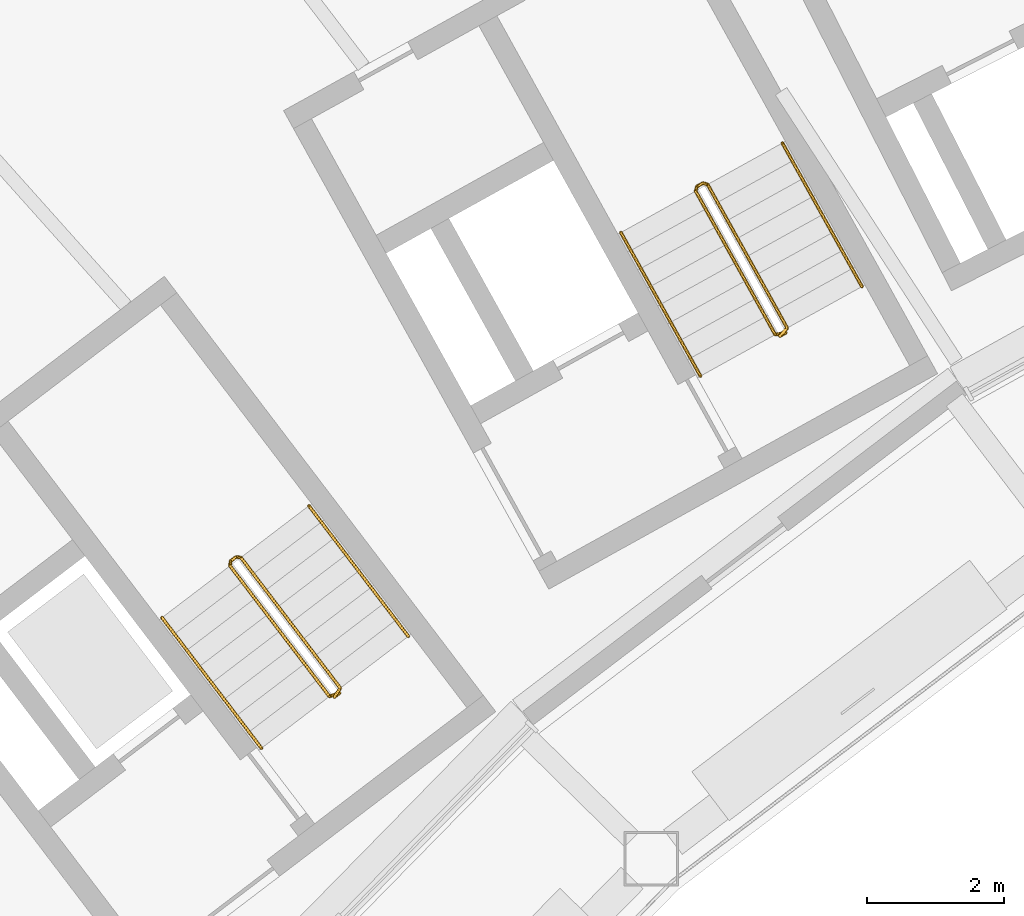
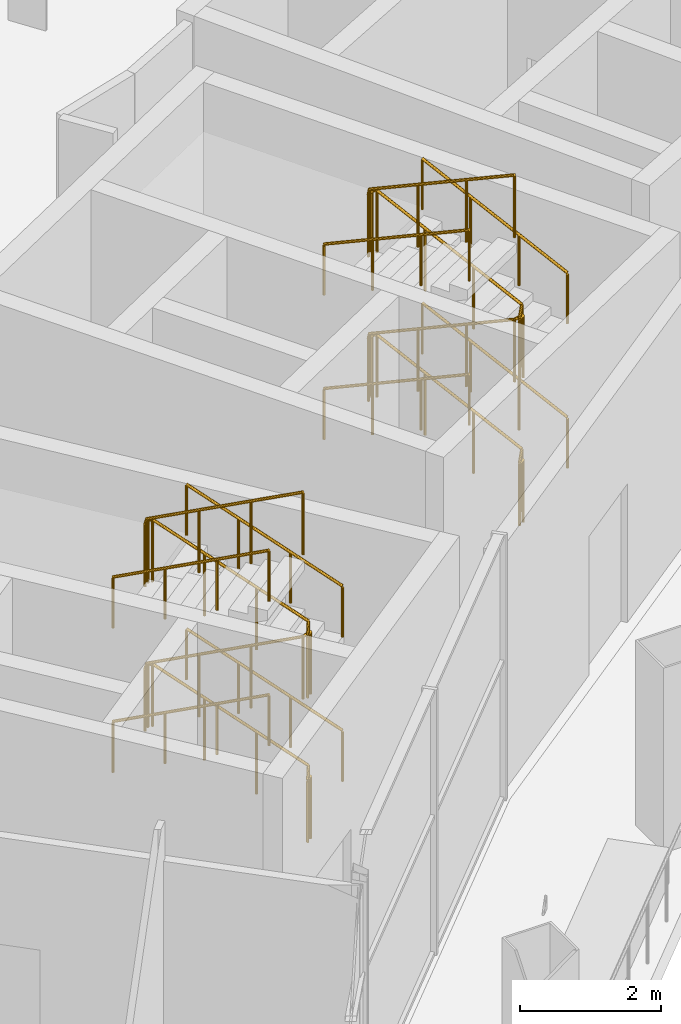
# One storey, part 27 of 29: 10 railings.
"""IFC4 building model written with IfcOpenShell, lengths in metres."""

from ifc_helpers import new_model, si_unit, direction, frame, origin, origin_2d, place, context, subcontext, project, spatial, circle, extrude, material, type_object, element, save


model = new_model("IFC4")

# Units and contexts
model_context = context("Model", 3, precision=1e-05, world=origin(), true_north=direction((0.0, 1.0)))
body_context = subcontext(model_context, "Body", "Model", "MODEL_VIEW")
ifc_project = project(units=[si_unit("LENGTHUNIT", "METRE"), si_unit("AREAUNIT", "SQUARE_METRE"), si_unit("VOLUMEUNIT", "CUBIC_METRE"), si_unit("PLANEANGLEUNIT", "RADIAN"), si_unit("MASSUNIT", "GRAM", prefix="KILO")], contexts=[model_context])

# Site, building, storey
site_placement = place(None, origin())
site = spatial("IfcSite", under=ifc_project, at=site_placement, CompositionType="ELEMENT")
building_placement = place(site_placement, origin())
building = spatial("IfcBuilding", under=site, at=building_placement, Name="Tuul Gate Civic Tower", CompositionType="ELEMENT")
storey_placement = place(building_placement, frame((0.0, 0.0, 238.89990234375)))
storey = spatial("IfcBuildingStorey", under=building, at=storey_placement, Name="Sky garden level 2", CompositionType="ELEMENT", Elevation=238.89990234375)

# Railings
ifc_material_1 = material(Name="Painted steel", Category="steel")
railing_type_1 = type_object("IfcRailingType", Name="Stair guard", PredefinedType="GUARDRAIL", material=ifc_material_1)
railing_1_placement = place(storey_placement, frame((-33.382080078125, -13.515380859375, 0.0)))
element("IfcRailing", 1, at=railing_1_placement, inside=storey, type_object=railing_type_1, Name="Sky garden level 2 ST-1 stair guard 1", PredefinedType="GUARDRAIL", context=body_context, shape_type="SweptSolid", body=[
    extrude(circle(Radius=0.02392578125, at=origin_2d()), frame((0.0, 0.0, 1.076171875), z_axis=(-0.795879841968, -0.605454603706, 0.0), x_axis=(0.605454603706, -0.795879841968, 0.0)), (0.0, 0.0, 1.0), 0.10009765625),
    extrude(circle(Radius=0.02392578125, at=origin_2d()), frame((-0.07958984375, -0.060546875, 1.076171875), z_axis=(0.423386299102, 0.620579917862, 0.660018641614), x_axis=(-0.826063974707, 0.563576356576, 0.0)), (0.0, 0.0, 1.0), 0.21044921875),
    extrude(circle(Radius=0.02392578125, at=origin_2d()), frame((0.009521484375, 0.070068359375, 1.21484375), z_axis=(-0.549737849212, 0.721998273498, 0.420127111967), x_axis=(-0.795620835531, -0.605794920801, 0.0)), (0.0, 0.0, 1.0), 2.64453125),
    extrude(circle(Radius=0.02392578125, at=origin_2d()), frame((-1.4443359375, 1.9794921875, 2.326171875), z_axis=(-0.990893089246, 0.134650977284, 0.0), x_axis=(-0.134650977284, -0.990893089246, 0.0)), (0.0, 0.0, 1.0), 0.07080078125),
    extrude(circle(Radius=0.02392578125, at=origin_2d()), frame((-1.514404296875, 1.989013671875, 2.326171875), z_axis=(-0.795879841968, -0.605454603706, 0.0), x_axis=(0.605454603706, -0.795879841968, 0.0)), (0.0, 0.0, 1.0), 0.10009765625),
    extrude(circle(Radius=0.02392578125, at=origin_2d()), frame((-1.593994140625, 1.928466796875, 2.326171875), z_axis=(-0.061082998929, -0.449508222888, 0.891185292068), x_axis=(0.990893089246, -0.134650977284, 0.0)), (0.0, 0.0, 1.0), 0.15576171875),
    extrude(circle(Radius=0.02392578125, at=origin_2d()), frame((-1.603515625, 1.8583984375, 2.46484375), z_axis=(0.549737849212, -0.721998273498, 0.420127111967), x_axis=(0.795620835531, 0.605794920801, 0.0)), (0.0, 0.0, 1.0), 2.64453125),
    extrude(circle(Radius=0.02392578125, at=origin_2d()), frame((-0.149658203125, -0.051025390625, 3.576171875), z_axis=(0.946499470085, 0.32270536582, 0.0), x_axis=(-0.32270536582, 0.946499470085, 0.0)), (0.0, 0.0, 1.0), 0.158203125),
    extrude(circle(Radius=0.02392578125, at=origin_2d()), frame((0.0, 0.0, 3.576171875), z_axis=(-0.795879841968, -0.605454603706, 0.0), x_axis=(0.605454603706, -0.795879841968, 0.0)), (0.0, 0.0, 1.0), 0.10009765625),
    extrude(circle(Radius=0.02392578125, at=origin_2d()), frame((-0.07958984375, -0.060546875, 3.576171875), z_axis=(0.423386299102, 0.620579917862, 0.660018641614), x_axis=(-0.826063974707, 0.563576356576, 0.0)), (0.0, 0.0, 1.0), 0.21044921875),
    extrude(circle(Radius=0.02392578125, at=origin_2d()), frame((0.009521484375, 0.070068359375, 3.71484375), z_axis=(-0.549737849212, 0.721998273498, 0.420127111967), x_axis=(-0.795620835531, -0.605794920801, 0.0)), (0.0, 0.0, 1.0), 2.64453125),
    extrude(circle(Radius=0.02392578125, at=origin_2d()), frame((-1.4443359375, 1.9794921875, 4.826171875), z_axis=(-0.990893089246, 0.134650977284, 0.0), x_axis=(-0.134650977284, -0.990893089246, 0.0)), (0.0, 0.0, 1.0), 0.07080078125),
    extrude(circle(Radius=0.02392578125, at=origin_2d()), frame((-1.514404296875, 1.989013671875, 4.826171875), z_axis=(-0.795879841968, -0.605454603706, 0.0), x_axis=(0.605454603706, -0.795879841968, 0.0)), (0.0, 0.0, 1.0), 0.10009765625),
    extrude(circle(Radius=0.02392578125, at=origin_2d()), frame((-1.593994140625, 1.928466796875, 4.826171875), z_axis=(-0.061082998929, -0.449508222888, 0.891185292068), x_axis=(0.990893089246, -0.134650977284, 0.0)), (0.0, 0.0, 1.0), 0.15576171875),
    extrude(circle(Radius=0.02392578125, at=origin_2d()), frame((-1.603515625, 1.8583984375, 4.96484375), z_axis=(0.549737849212, -0.721998273498, 0.420127111967), x_axis=(0.795620835531, 0.605794920801, 0.0)), (0.0, 0.0, 1.0), 2.64453125),
    extrude(circle(Radius=0.02099609375, at=origin_2d()), origin(), (0.0, 0.0, 1.0), 1.052001953125),
    extrude(circle(Radius=0.02099609375, at=origin_2d()), frame((-0.07958984375, -0.060546875, 0.0)), (0.0, 0.0, 1.0), 1.052001953125),
    extrude(circle(Radius=0.02099609375, at=origin_2d()), frame((0.009521484375, 0.070068359375, 0.138916015625)), (0.0, 0.0, 1.0), 1.052001953125),
    extrude(circle(Radius=0.02099609375, at=origin_2d()), frame((-0.47509765625, 0.70654296875, 0.50927734375)), (0.0, 0.0, 1.0), 1.052001953125),
    extrude(circle(Radius=0.02099609375, at=origin_2d()), frame((-0.959716796875, 1.343017578125, 0.879638671875)), (0.0, 0.0, 1.0), 1.052001953125),
    extrude(circle(Radius=0.02099609375, at=origin_2d()), frame((-1.4443359375, 1.9794921875, 1.25)), (0.0, 0.0, 1.0), 1.052001953125),
    extrude(circle(Radius=0.02099609375, at=origin_2d()), frame((-1.514404296875, 1.989013671875, 1.25)), (0.0, 0.0, 1.0), 1.052001953125),
    extrude(circle(Radius=0.02099609375, at=origin_2d()), frame((-1.593994140625, 1.928466796875, 1.25)), (0.0, 0.0, 1.0), 1.052001953125),
    extrude(circle(Radius=0.02099609375, at=origin_2d()), frame((-1.603515625, 1.8583984375, 1.388916015625)), (0.0, 0.0, 1.0), 1.052001953125),
    extrude(circle(Radius=0.02099609375, at=origin_2d()), frame((-1.118896484375, 1.221923828125, 1.75927734375)), (0.0, 0.0, 1.0), 1.052001953125),
    extrude(circle(Radius=0.02099609375, at=origin_2d()), frame((-0.63427734375, 0.58544921875, 2.129638671875)), (0.0, 0.0, 1.0), 1.052001953125),
    extrude(circle(Radius=0.02099609375, at=origin_2d()), frame((-0.149658203125, -0.051025390625, 2.5)), (0.0, 0.0, 1.0), 1.052001953125),
    extrude(circle(Radius=0.02099609375, at=origin_2d()), frame((0.0, 0.0, 2.5)), (0.0, 0.0, 1.0), 1.052001953125),
    extrude(circle(Radius=0.02099609375, at=origin_2d()), frame((-0.07958984375, -0.060546875, 2.5)), (0.0, 0.0, 1.0), 1.052001953125),
    extrude(circle(Radius=0.02099609375, at=origin_2d()), frame((0.009521484375, 0.070068359375, 2.638916015625)), (0.0, 0.0, 1.0), 1.052001953125),
    extrude(circle(Radius=0.02099609375, at=origin_2d()), frame((-0.47509765625, 0.70654296875, 3.00927734375)), (0.0, 0.0, 1.0), 1.052001953125),
    extrude(circle(Radius=0.02099609375, at=origin_2d()), frame((-0.959716796875, 1.343017578125, 3.379638671875)), (0.0, 0.0, 1.0), 1.052001953125),
    extrude(circle(Radius=0.02099609375, at=origin_2d()), frame((-1.4443359375, 1.9794921875, 3.75)), (0.0, 0.0, 1.0), 1.052001953125),
    extrude(circle(Radius=0.02099609375, at=origin_2d()), frame((-1.514404296875, 1.989013671875, 3.75)), (0.0, 0.0, 1.0), 1.052001953125),
    extrude(circle(Radius=0.02099609375, at=origin_2d()), frame((-1.593994140625, 1.928466796875, 3.75)), (0.0, 0.0, 1.0), 1.052001953125),
    extrude(circle(Radius=0.02099609375, at=origin_2d()), frame((-1.603515625, 1.8583984375, 3.888916015625)), (0.0, 0.0, 1.0), 1.052001953125),
    extrude(circle(Radius=0.02099609375, at=origin_2d()), frame((-1.118896484375, 1.221923828125, 4.25927734375)), (0.0, 0.0, 1.0), 1.052001953125),
    extrude(circle(Radius=0.02099609375, at=origin_2d()), frame((-0.63427734375, 0.58544921875, 4.629638671875)), (0.0, 0.0, 1.0), 1.052001953125),
    extrude(circle(Radius=0.02099609375, at=origin_2d()), frame((-0.149658203125, -0.051025390625, 5.0)), (0.0, 0.0, 1.0), 1.052001953125),
])
railing_2_placement = place(storey_placement, frame((-26.857666015625, -8.247314453125, 0.0)))
element("IfcRailing", 2, at=railing_2_placement, inside=storey, type_object=railing_type_1, Name="Sky garden level 2 ST-2 stair guard 1", PredefinedType="GUARDRAIL", context=body_context, shape_type="SweptSolid", body=[
    extrude(circle(Radius=0.02392578125, at=origin_2d()), frame((0.0, 0.0, 1.076171875), z_axis=(-0.874616555828, -0.48481530532, 0.0), x_axis=(0.48481530532, -0.874616555828, 0.0)), (0.0, 0.0, 1.0), 0.10009765625),
    extrude(circle(Radius=0.02392578125, at=origin_2d()), frame((-0.087646484375, -0.048583984375, 1.076171875), z_axis=(0.508089879802, 0.553330759511, 0.66005283472), x_axis=(-0.736576986774, 0.676353711126, 0.0)), (0.0, 0.0, 1.0), 0.21044921875),
    extrude(circle(Radius=0.02392578125, at=origin_2d()), frame((0.019287109375, 0.06787109375, 1.21484375), z_axis=(-0.439881164574, 0.793724712069, 0.42012574606), x_axis=(-0.874660649081, -0.484735751672, 0.0)), (0.0, 0.0, 1.0), 2.64453125),
    extrude(circle(Radius=0.02392578125, at=origin_2d()), frame((-1.14404296875, 2.1669921875, 2.326171875), z_axis=(-0.961000426733, 0.276546885391, 0.0), x_axis=(-0.276546885391, -0.961000426733, 0.0)), (0.0, 0.0, 1.0), 0.070556640625),
    extrude(circle(Radius=0.02392578125, at=origin_2d()), frame((-1.2119140625, 2.1865234375, 2.326171875), z_axis=(-0.87564882518, -0.482948377119, 0.0), x_axis=(0.482948377119, -0.87564882518, 0.0)), (0.0, 0.0, 1.0), 0.10009765625),
    extrude(circle(Radius=0.02392578125, at=origin_2d()), frame((-1.299560546875, 2.13818359375, 2.326171875), z_axis=(-0.123703100499, -0.436875506824, 0.890975495996), x_axis=(0.962171938298, -0.272442950271, 0.0)), (0.0, 0.0, 1.0), 0.156005859375),
    extrude(circle(Radius=0.02392578125, at=origin_2d()), frame((-1.31884765625, 2.070068359375, 2.46484375), z_axis=(0.439881164574, -0.793724712069, 0.42012574606), x_axis=(0.874660649081, 0.484735751672, 0.0)), (0.0, 0.0, 1.0), 2.64453125),
    extrude(circle(Radius=0.02392578125, at=origin_2d()), frame((-0.155517578125, -0.029052734375, 3.576171875), z_axis=(0.98299425886, 0.183636290117, 0.0), x_axis=(-0.183636290117, 0.98299425886, 0.0)), (0.0, 0.0, 1.0), 0.158203125),
    extrude(circle(Radius=0.02392578125, at=origin_2d()), frame((0.0, 0.0, 3.576171875), z_axis=(-0.874616555828, -0.48481530532, 0.0), x_axis=(0.48481530532, -0.874616555828, 0.0)), (0.0, 0.0, 1.0), 0.10009765625),
    extrude(circle(Radius=0.02392578125, at=origin_2d()), frame((-0.087646484375, -0.048583984375, 3.576171875), z_axis=(0.508089879802, 0.553330759511, 0.66005283472), x_axis=(-0.736576986774, 0.676353711126, 0.0)), (0.0, 0.0, 1.0), 0.21044921875),
    extrude(circle(Radius=0.02392578125, at=origin_2d()), frame((0.019287109375, 0.06787109375, 3.71484375), z_axis=(-0.439881164574, 0.793724712069, 0.42012574606), x_axis=(-0.874660649081, -0.484735751672, 0.0)), (0.0, 0.0, 1.0), 2.64453125),
    extrude(circle(Radius=0.02392578125, at=origin_2d()), frame((-1.14404296875, 2.1669921875, 4.826171875), z_axis=(-0.961000426733, 0.276546885391, 0.0), x_axis=(-0.276546885391, -0.961000426733, 0.0)), (0.0, 0.0, 1.0), 0.070556640625),
    extrude(circle(Radius=0.02392578125, at=origin_2d()), frame((-1.2119140625, 2.1865234375, 4.826171875), z_axis=(-0.87564882518, -0.482948377119, 0.0), x_axis=(0.482948377119, -0.87564882518, 0.0)), (0.0, 0.0, 1.0), 0.10009765625),
    extrude(circle(Radius=0.02392578125, at=origin_2d()), frame((-1.299560546875, 2.13818359375, 4.826171875), z_axis=(-0.123703100499, -0.436875506824, 0.890975495996), x_axis=(0.962171938298, -0.272442950271, 0.0)), (0.0, 0.0, 1.0), 0.156005859375),
    extrude(circle(Radius=0.02392578125, at=origin_2d()), frame((-1.31884765625, 2.070068359375, 4.96484375), z_axis=(0.439881164574, -0.793724712069, 0.42012574606), x_axis=(0.874660649081, 0.484735751672, 0.0)), (0.0, 0.0, 1.0), 2.64453125),
    extrude(circle(Radius=0.02099609375, at=origin_2d()), origin(), (0.0, 0.0, 1.0), 1.052001953125),
    extrude(circle(Radius=0.02099609375, at=origin_2d()), frame((-0.087646484375, -0.048583984375, 0.0)), (0.0, 0.0, 1.0), 1.052001953125),
    extrude(circle(Radius=0.02099609375, at=origin_2d()), frame((0.019287109375, 0.06787109375, 0.138916015625)), (0.0, 0.0, 1.0), 1.052001953125),
    extrude(circle(Radius=0.02099609375, at=origin_2d()), frame((-0.368408203125, 0.767578125, 0.50927734375)), (0.0, 0.0, 1.0), 1.052001953125),
    extrude(circle(Radius=0.02099609375, at=origin_2d()), frame((-0.75634765625, 1.46728515625, 0.879638671875)), (0.0, 0.0, 1.0), 1.052001953125),
    extrude(circle(Radius=0.02099609375, at=origin_2d()), frame((-1.14404296875, 2.1669921875, 1.25)), (0.0, 0.0, 1.0), 1.052001953125),
    extrude(circle(Radius=0.02099609375, at=origin_2d()), frame((-1.2119140625, 2.1865234375, 1.25)), (0.0, 0.0, 1.0), 1.052001953125),
    extrude(circle(Radius=0.02099609375, at=origin_2d()), frame((-1.299560546875, 2.13818359375, 1.25)), (0.0, 0.0, 1.0), 1.052001953125),
    extrude(circle(Radius=0.02099609375, at=origin_2d()), frame((-1.31884765625, 2.070068359375, 1.388916015625)), (0.0, 0.0, 1.0), 1.052001953125),
    extrude(circle(Radius=0.02099609375, at=origin_2d()), frame((-0.93115234375, 1.370361328125, 1.75927734375)), (0.0, 0.0, 1.0), 1.052001953125),
    extrude(circle(Radius=0.02099609375, at=origin_2d()), frame((-0.543212890625, 0.670654296875, 2.129638671875)), (0.0, 0.0, 1.0), 1.052001953125),
    extrude(circle(Radius=0.02099609375, at=origin_2d()), frame((-0.155517578125, -0.029052734375, 2.5)), (0.0, 0.0, 1.0), 1.052001953125),
    extrude(circle(Radius=0.02099609375, at=origin_2d()), frame((0.0, 0.0, 2.5)), (0.0, 0.0, 1.0), 1.052001953125),
    extrude(circle(Radius=0.02099609375, at=origin_2d()), frame((-0.087646484375, -0.048583984375, 2.5)), (0.0, 0.0, 1.0), 1.052001953125),
    extrude(circle(Radius=0.02099609375, at=origin_2d()), frame((0.019287109375, 0.06787109375, 2.638916015625)), (0.0, 0.0, 1.0), 1.052001953125),
    extrude(circle(Radius=0.02099609375, at=origin_2d()), frame((-0.368408203125, 0.767578125, 3.00927734375)), (0.0, 0.0, 1.0), 1.052001953125),
    extrude(circle(Radius=0.02099609375, at=origin_2d()), frame((-0.75634765625, 1.46728515625, 3.379638671875)), (0.0, 0.0, 1.0), 1.052001953125),
    extrude(circle(Radius=0.02099609375, at=origin_2d()), frame((-1.14404296875, 2.1669921875, 3.75)), (0.0, 0.0, 1.0), 1.052001953125),
    extrude(circle(Radius=0.02099609375, at=origin_2d()), frame((-1.2119140625, 2.1865234375, 3.75)), (0.0, 0.0, 1.0), 1.052001953125),
    extrude(circle(Radius=0.02099609375, at=origin_2d()), frame((-1.299560546875, 2.13818359375, 3.75)), (0.0, 0.0, 1.0), 1.052001953125),
    extrude(circle(Radius=0.02099609375, at=origin_2d()), frame((-1.31884765625, 2.070068359375, 3.888916015625)), (0.0, 0.0, 1.0), 1.052001953125),
    extrude(circle(Radius=0.02099609375, at=origin_2d()), frame((-0.93115234375, 1.370361328125, 4.25927734375)), (0.0, 0.0, 1.0), 1.052001953125),
    extrude(circle(Radius=0.02099609375, at=origin_2d()), frame((-0.543212890625, 0.670654296875, 4.629638671875)), (0.0, 0.0, 1.0), 1.052001953125),
    extrude(circle(Radius=0.02099609375, at=origin_2d()), frame((-0.155517578125, -0.029052734375, 5.0)), (0.0, 0.0, 1.0), 1.052001953125),
])
ifc_material_2 = material(Name="Painted steel", Category="steel")
railing_type_2 = type_object("IfcRailingType", Name="Stair handrail", PredefinedType="HANDRAIL", material=ifc_material_2)
railing_3_placement = place(storey_placement, frame((-32.3779296875, -12.688232421875, 0.138916015625)))
element("IfcRailing", 3, at=railing_3_placement, inside=storey, type_object=railing_type_2, Name="Sky garden level 2 ST-1 stair handrail 1", PredefinedType="HANDRAIL", context=body_context, shape_type="SweptSolid", body=[
    extrude(circle(Radius=0.02392578125, at=origin_2d()), frame((0.0, 0.0, 0.8759765625), z_axis=(-0.549701209671, 0.722042462141, 0.420099110867), x_axis=(-0.79565816419, -0.605745892068, 0.0)), (0.0, 0.0, 1.0), 2.644775390625),
    extrude(circle(Radius=0.02099609375, at=origin_2d()), origin(), (0.0, 0.0, 1.0), 0.851806640625),
    extrude(circle(Radius=0.02099609375, at=origin_2d()), frame((-0.484619140625, 0.636474609375, 0.370361328125)), (0.0, 0.0, 1.0), 0.851806640625),
    extrude(circle(Radius=0.02099609375, at=origin_2d()), frame((-0.96923828125, 1.273193359375, 0.74072265625)), (0.0, 0.0, 1.0), 0.851806640625),
    extrude(circle(Radius=0.02099609375, at=origin_2d()), frame((-1.453857421875, 1.90966796875, 1.111083984375)), (0.0, 0.0, 1.0), 0.851806640625),
])
railing_4_placement = place(storey_placement, frame((-35.97998046875, -12.414306640625, 1.388916015625)))
element("IfcRailing", 4, at=railing_4_placement, inside=storey, type_object=railing_type_2, Name="Sky garden level 2 ST-1 stair handrail 2", PredefinedType="HANDRAIL", context=body_context, shape_type="SweptSolid", body=[
    extrude(circle(Radius=0.02392578125, at=origin_2d()), frame((0.0, 0.0, 0.8759765625), z_axis=(0.549737849212, -0.721998273498, 0.420127111967), x_axis=(0.795620835531, 0.605794920801, 0.0)), (0.0, 0.0, 1.0), 2.64453125),
    extrude(circle(Radius=0.02099609375, at=origin_2d()), origin(), (0.0, 0.0, 1.0), 0.851806640625),
    extrude(circle(Radius=0.02099609375, at=origin_2d()), frame((0.484619140625, -0.636474609375, 0.370361328125)), (0.0, 0.0, 1.0), 0.851806640625),
    extrude(circle(Radius=0.02099609375, at=origin_2d()), frame((0.96923828125, -1.27294921875, 0.74072265625)), (0.0, 0.0, 1.0), 0.851806640625),
    extrude(circle(Radius=0.02099609375, at=origin_2d()), frame((1.453857421875, -1.909423828125, 1.111083984375)), (0.0, 0.0, 1.0), 0.851806640625),
])
railing_5_placement = place(storey_placement, frame((-32.3779296875, -12.688232421875, 2.638916015625)))
element("IfcRailing", 5, at=railing_5_placement, inside=storey, type_object=railing_type_2, Name="Sky garden level 2 ST-1 stair handrail 3", PredefinedType="HANDRAIL", context=body_context, shape_type="SweptSolid", body=[
    extrude(circle(Radius=0.02392578125, at=origin_2d()), frame((0.0, 0.0, 0.8759765625), z_axis=(-0.549701209671, 0.722042462141, 0.420099110867), x_axis=(-0.79565816419, -0.605745892068, 0.0)), (0.0, 0.0, 1.0), 2.644775390625),
    extrude(circle(Radius=0.02099609375, at=origin_2d()), origin(), (0.0, 0.0, 1.0), 0.851806640625),
    extrude(circle(Radius=0.02099609375, at=origin_2d()), frame((-0.484619140625, 0.636474609375, 0.370361328125)), (0.0, 0.0, 1.0), 0.851806640625),
    extrude(circle(Radius=0.02099609375, at=origin_2d()), frame((-0.96923828125, 1.273193359375, 0.74072265625)), (0.0, 0.0, 1.0), 0.851806640625),
    extrude(circle(Radius=0.02099609375, at=origin_2d()), frame((-1.453857421875, 1.90966796875, 1.111083984375)), (0.0, 0.0, 1.0), 0.851806640625),
])
railing_6_placement = place(storey_placement, frame((-35.97998046875, -12.414306640625, 3.888916015625)))
element("IfcRailing", 6, at=railing_6_placement, inside=storey, type_object=railing_type_2, Name="Sky garden level 2 ST-1 stair handrail 4", PredefinedType="HANDRAIL", context=body_context, shape_type="SweptSolid", body=[
    extrude(circle(Radius=0.02392578125, at=origin_2d()), frame((0.0, 0.0, 0.8759765625), z_axis=(0.549737849212, -0.721998273498, 0.420127111967), x_axis=(0.795620835531, 0.605794920801, 0.0)), (0.0, 0.0, 1.0), 2.64453125),
    extrude(circle(Radius=0.02099609375, at=origin_2d()), origin(), (0.0, 0.0, 1.0), 0.851806640625),
    extrude(circle(Radius=0.02099609375, at=origin_2d()), frame((0.484619140625, -0.636474609375, 0.370361328125)), (0.0, 0.0, 1.0), 0.851806640625),
    extrude(circle(Radius=0.02099609375, at=origin_2d()), frame((0.96923828125, -1.27294921875, 0.74072265625)), (0.0, 0.0, 1.0), 0.851806640625),
    extrude(circle(Radius=0.02099609375, at=origin_2d()), frame((1.453857421875, -1.909423828125, 1.111083984375)), (0.0, 0.0, 1.0), 0.851806640625),
])
railing_7_placement = place(storey_placement, frame((-25.744873046875, -7.573486328125, 0.138916015625)))
element("IfcRailing", 7, at=railing_7_placement, inside=storey, type_object=railing_type_2, Name="Sky garden level 2 ST-2 stair handrail 1", PredefinedType="HANDRAIL", context=body_context, shape_type="SweptSolid", body=[
    extrude(circle(Radius=0.02392578125, at=origin_2d()), frame((0.0, 0.0, 0.8759765625), z_axis=(-0.43995561254, 0.793692479358, 0.420108684992), x_axis=(-0.874617517018, -0.484813571308, 0.0)), (0.0, 0.0, 1.0), 2.644775390625),
    extrude(circle(Radius=0.02099609375, at=origin_2d()), origin(), (0.0, 0.0, 1.0), 0.851806640625),
    extrude(circle(Radius=0.02099609375, at=origin_2d()), frame((-0.387939453125, 0.69970703125, 0.370361328125)), (0.0, 0.0, 1.0), 0.851806640625),
    extrude(circle(Radius=0.02099609375, at=origin_2d()), frame((-0.775634765625, 1.3994140625, 0.74072265625)), (0.0, 0.0, 1.0), 0.851806640625),
    extrude(circle(Radius=0.02099609375, at=origin_2d()), frame((-1.16357421875, 2.09912109375, 1.111083984375)), (0.0, 0.0, 1.0), 0.851806640625),
])
railing_8_placement = place(storey_placement, frame((-29.27001953125, -6.783203125, 1.388916015625)))
element("IfcRailing", 8, at=railing_8_placement, inside=storey, type_object=railing_type_2, Name="Sky garden level 2 ST-2 stair handrail 2", PredefinedType="HANDRAIL", context=body_context, shape_type="SweptSolid", body=[
    extrude(circle(Radius=0.02392578125, at=origin_2d()), frame((0.0, 0.0, 0.8759765625), z_axis=(0.43995561254, -0.793692479358, 0.420108684992), x_axis=(0.874617517018, 0.484813571308, 0.0)), (0.0, 0.0, 1.0), 2.644775390625),
    extrude(circle(Radius=0.02099609375, at=origin_2d()), origin(), (0.0, 0.0, 1.0), 0.851806640625),
    extrude(circle(Radius=0.02099609375, at=origin_2d()), frame((0.387939453125, -0.69970703125, 0.370361328125)), (0.0, 0.0, 1.0), 0.851806640625),
    extrude(circle(Radius=0.02099609375, at=origin_2d()), frame((0.775634765625, -1.3994140625, 0.74072265625)), (0.0, 0.0, 1.0), 0.851806640625),
    extrude(circle(Radius=0.02099609375, at=origin_2d()), frame((1.16357421875, -2.09912109375, 1.111083984375)), (0.0, 0.0, 1.0), 0.851806640625),
])
railing_9_placement = place(storey_placement, frame((-25.744873046875, -7.573486328125, 2.638916015625)))
element("IfcRailing", 9, at=railing_9_placement, inside=storey, type_object=railing_type_2, Name="Sky garden level 2 ST-2 stair handrail 3", PredefinedType="HANDRAIL", context=body_context, shape_type="SweptSolid", body=[
    extrude(circle(Radius=0.02392578125, at=origin_2d()), frame((0.0, 0.0, 0.8759765625), z_axis=(-0.43995561254, 0.793692479358, 0.420108684992), x_axis=(-0.874617517018, -0.484813571308, 0.0)), (0.0, 0.0, 1.0), 2.644775390625),
    extrude(circle(Radius=0.02099609375, at=origin_2d()), origin(), (0.0, 0.0, 1.0), 0.851806640625),
    extrude(circle(Radius=0.02099609375, at=origin_2d()), frame((-0.387939453125, 0.69970703125, 0.370361328125)), (0.0, 0.0, 1.0), 0.851806640625),
    extrude(circle(Radius=0.02099609375, at=origin_2d()), frame((-0.775634765625, 1.3994140625, 0.74072265625)), (0.0, 0.0, 1.0), 0.851806640625),
    extrude(circle(Radius=0.02099609375, at=origin_2d()), frame((-1.16357421875, 2.09912109375, 1.111083984375)), (0.0, 0.0, 1.0), 0.851806640625),
])
railing_10_placement = place(storey_placement, frame((-29.27001953125, -6.783203125, 3.888916015625)))
element("IfcRailing", 10, at=railing_10_placement, inside=storey, type_object=railing_type_2, Name="Sky garden level 2 ST-2 stair handrail 4", PredefinedType="HANDRAIL", context=body_context, shape_type="SweptSolid", body=[
    extrude(circle(Radius=0.02392578125, at=origin_2d()), frame((0.0, 0.0, 0.8759765625), z_axis=(0.43995561254, -0.793692479358, 0.420108684992), x_axis=(0.874617517018, 0.484813571308, 0.0)), (0.0, 0.0, 1.0), 2.644775390625),
    extrude(circle(Radius=0.02099609375, at=origin_2d()), origin(), (0.0, 0.0, 1.0), 0.851806640625),
    extrude(circle(Radius=0.02099609375, at=origin_2d()), frame((0.387939453125, -0.69970703125, 0.370361328125)), (0.0, 0.0, 1.0), 0.851806640625),
    extrude(circle(Radius=0.02099609375, at=origin_2d()), frame((0.775634765625, -1.3994140625, 0.74072265625)), (0.0, 0.0, 1.0), 0.851806640625),
    extrude(circle(Radius=0.02099609375, at=origin_2d()), frame((1.16357421875, -2.09912109375, 1.111083984375)), (0.0, 0.0, 1.0), 0.851806640625),
])

save(model, "model.ifc")
